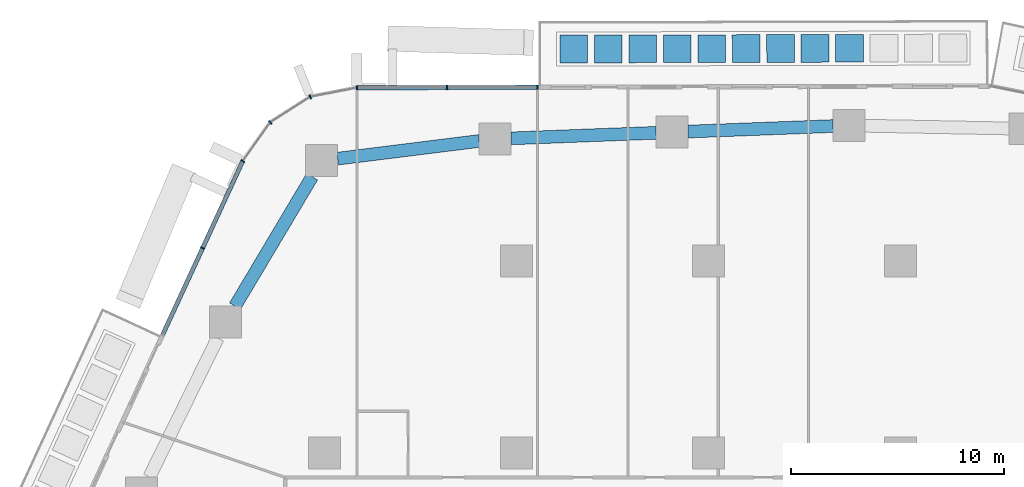
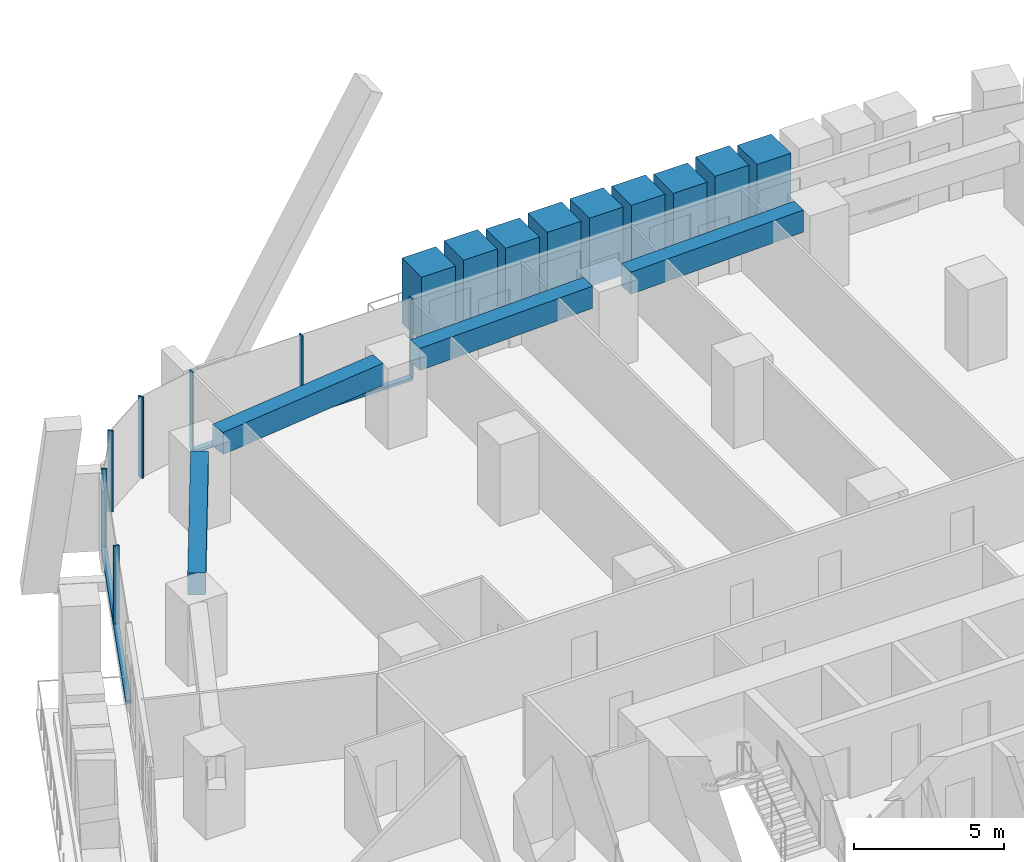
# One storey, part 9 of 27: 18 members, 4 beams, 3 elements without a shape of their own.
"""IFC4 building model written with IfcOpenShell, lengths in metres."""

from ifc_helpers import new_model, si_unit, direction, frame, origin, origin_2d, place, context, subcontext, project, spatial, rectangle, extrude, material, layer, layer_set, material_profile, profile_set, type_object, element, aggregate, save


model = new_model("IFC4")

# Units and contexts
model_context = context("Model", 3, precision=1e-05, world=origin(), true_north=direction((0.0, 1.0)))
body_context = subcontext(model_context, "Body", "Model", "MODEL_VIEW")
ifc_project = project(units=[si_unit("LENGTHUNIT", "METRE"), si_unit("AREAUNIT", "SQUARE_METRE"), si_unit("VOLUMEUNIT", "CUBIC_METRE"), si_unit("PLANEANGLEUNIT", "RADIAN"), si_unit("MASSUNIT", "GRAM", prefix="KILO")], contexts=[model_context])

# Site, building, storey
site_placement = place(None, origin())
site = spatial("IfcSite", under=ifc_project, at=site_placement, CompositionType="ELEMENT")
building_placement = place(site_placement, origin())
building = spatial("IfcBuilding", under=site, at=building_placement, Name="Dongbaek Canopy Tower", CompositionType="ELEMENT")
storey_placement = place(building_placement, frame((0.0, 0.0, 62.5)))
storey = spatial("IfcBuildingStorey", under=building, at=storey_placement, Name="L11", CompositionType="ELEMENT", Elevation=62.5)

# Curtain wall, members
ifc_material_1 = material(Name="Aluminium 6063-T6 pale anodised", Category="aluminium")
ifc_layer = layer(ifc_material_1, 0.199951171875)
ifc_layer_set = layer_set([ifc_layer], Name="CW-1 unitised tower curtain wall")
curtain_wall_type = type_object("IfcCurtainWallType", Name="CW-1 unitised tower curtain wall", PredefinedType="NOTDEFINED", material=ifc_layer_set)
curtain_wall_1_placement = place(storey_placement, origin())
curtain_wall_1 = element("IfcCurtainWall", 1, at=curtain_wall_1_placement, inside=storey, type_object=curtain_wall_type, Name="CW-1 curtain wall F1.1", PredefinedType="NOTDEFINED")
ifc_material_2 = material(Name="Aluminium 6063-T6 pale anodised", Category="aluminium")
ifc_material_profile_1 = material_profile(ifc_material_2, rectangle(XDim=0.199951171875, YDim=0.06005859375, at=origin_2d()), Name="CW-1 mullion 60 x 200")
ifc_profile_set_1 = profile_set([ifc_material_profile_1], Name="Aluminium 6063-T6 pale anodised")
member_type_1 = type_object("IfcMemberType", Name="CW-1 mullion 60 x 200", PredefinedType="MULLION", material=ifc_profile_set_1)
member_1_placement = place(storey_placement, frame((-8.0205078125, 35.13623046875, 0.1201171875), z_axis=(0.0, 0.0, 1.0), x_axis=(-0.002665570299, 0.999996447361, 0.0)))
member_1 = element("IfcMember", 2, at=member_1_placement, type_object=member_type_1, Name="CW-1 mullion F1.1.1", PredefinedType="MULLION", context=body_context, shape_type="SweptSolid", body=[
    extrude(rectangle(XDim=0.199951171875, YDim=0.06005859375, at=origin_2d()), origin(), (0.0, 0.0, 1.0), 3.179931640625),
])
member_2_placement = place(storey_placement, frame((-12.258056640625, 35.124755859375, 0.1201171875), z_axis=(0.0, 0.0, 1.0), x_axis=(-0.002665570299, 0.999996447361, 0.0)))
member_2 = element("IfcMember", 3, at=member_2_placement, type_object=member_type_1, Name="CW-1 mullion F1.1.2", PredefinedType="MULLION", context=body_context, shape_type="SweptSolid", body=[
    extrude(rectangle(XDim=0.199951171875, YDim=0.06005859375, at=origin_2d()), origin(), (0.0, 0.0, 1.0), 3.179931640625),
])
member_3_placement = place(storey_placement, frame((-16.486083984375, 35.113525390625, 0.1201171875), z_axis=(0.0, 0.0, 1.0), x_axis=(-0.002665570299, 0.999996447361, 0.0)))
member_3 = element("IfcMember", 4, at=member_3_placement, type_object=member_type_1, Name="CW-1 mullion F1.1.3", PredefinedType="MULLION", context=body_context, shape_type="SweptSolid", body=[
    extrude(rectangle(XDim=0.199951171875, YDim=0.06005859375, at=origin_2d()), origin(), (0.0, 0.0, 1.0), 3.179931640625),
])

curtain_wall_2_placement = place(storey_placement, origin())
curtain_wall_2 = element("IfcCurtainWall", 5, at=curtain_wall_2_placement, inside=storey, type_object=curtain_wall_type, Name="CW-1 curtain wall K2.1", PredefinedType="NOTDEFINED")
member_4_placement = place(storey_placement, frame((-18.6748046875, 34.68798828125, 0.0), z_axis=(0.0, 0.0, 1.0), x_axis=(-0.372155776445, 0.928170285055, 0.0)))
member_4 = element("IfcMember", 6, at=member_4_placement, type_object=member_type_1, Name="CW-1 mullion K2.1.2", PredefinedType="MULLION", context=body_context, shape_type="SweptSolid", body=[
    extrude(rectangle(XDim=0.199951171875, YDim=0.06005859375, at=origin_2d()), origin(), (0.0, 0.0, 1.0), 3.300048828125),
])
member_5_placement = place(storey_placement, frame((-20.543212890625, 33.48876953125, 0.0), z_axis=(0.0, 0.0, 1.0), x_axis=(-0.688918204153, 0.7248390911, 0.0)))
member_5 = element("IfcMember", 7, at=member_5_placement, type_object=member_type_1, Name="CW-1 mullion K2.1.3", PredefinedType="MULLION", context=body_context, shape_type="SweptSolid", body=[
    extrude(rectangle(XDim=0.199951171875, YDim=0.06005859375, at=origin_2d()), origin(), (0.0, 0.0, 1.0), 3.300048828125),
])
member_6_placement = place(storey_placement, frame((-21.84130859375, 31.676025390625, 0.0), z_axis=(0.0, 0.0, 1.0), x_axis=(-0.813024440327, 0.58222955905, 0.0)))
member_6 = element("IfcMember", 8, at=member_6_placement, type_object=member_type_1, Name="CW-1 mullion K2.1.4", PredefinedType="MULLION", context=body_context, shape_type="SweptSolid", body=[
    extrude(rectangle(XDim=0.199951171875, YDim=0.06005859375, at=origin_2d()), origin(), (0.0, 0.0, 1.0), 3.300048828125),
])
aggregate(curtain_wall_2, [member_4, member_5, member_6])

# Curtain wall, member
curtain_wall_3_placement = place(storey_placement, origin())
curtain_wall_3 = element("IfcCurtainWall", 9, at=curtain_wall_3_placement, inside=storey, type_object=curtain_wall_type, Name="CW-1 curtain wall F2.1", PredefinedType="NOTDEFINED")
member_7_placement = place(storey_placement, frame((-23.71923828125, 27.604248046875, 0.1201171875), z_axis=(0.0, 0.0, 1.0), x_axis=(-0.908073315942, 0.418811237761, 0.0)))
member_7 = element("IfcMember", 10, at=member_7_placement, type_object=member_type_1, Name="CW-1 mullion F2.1.2", PredefinedType="MULLION", context=body_context, shape_type="SweptSolid", body=[
    extrude(rectangle(XDim=0.199951171875, YDim=0.06005859375, at=origin_2d()), origin(), (0.0, 0.0, 1.0), 3.179931640625),
])

# Member
ifc_material_3 = material(Name="Aluminium 6063-T6 pale anodised", Category="aluminium")
ifc_material_profile_2 = material_profile(ifc_material_3, rectangle(XDim=0.199951171875, YDim=0.1201171875, at=origin_2d()), Name="CW-1 transom 120 x 200")
ifc_profile_set_2 = profile_set([ifc_material_profile_2], Name="Aluminium 6063-T6 pale anodised")
member_type_2 = type_object("IfcMemberType", Name="CW-1 transom 120 x 200", PredefinedType="USERDEFINED", material=ifc_profile_set_2)
member_8_placement = place(storey_placement, frame((-8.0205078125, 35.13623046875, 0.06005859375), z_axis=(-0.99999640333, -0.002682037938, 0.0), x_axis=(0.002682037938, -0.99999640333, 0.0)))
member_8 = element("IfcMember", 11, at=member_8_placement, type_object=member_type_2, Name="CW-1 transom F1.1.1", ObjectType="TRANSOM", PredefinedType="USERDEFINED", context=body_context, shape_type="SweptSolid", body=[
    extrude(rectangle(XDim=0.199951171875, YDim=0.1201171875, at=origin_2d()), origin(), (0.0, 0.0, 1.0), 8.465576171875),
])

aggregate(curtain_wall_1, [member_1, member_2, member_3, member_8])

member_9_placement = place(storey_placement, frame((-21.84130859375, 31.676025390625, 0.06005859375), z_axis=(-0.418816716201, -0.908070789218, 0.0), x_axis=(0.908070789218, -0.418816716201, 0.0)))
member_9 = element("IfcMember", 12, at=member_9_placement, type_object=member_type_2, Name="CW-1 transom F2.1.1", ObjectType="TRANSOM", PredefinedType="USERDEFINED", context=body_context, shape_type="SweptSolid", body=[
    extrude(rectangle(XDim=0.199951171875, YDim=0.1201171875, at=origin_2d()), origin(), (0.0, 0.0, 1.0), 8.97705078125),
])

aggregate(curtain_wall_3, [member_7, member_9])

# Beams
ifc_material_4 = material(Name="Concrete C80", Category="concrete")
ifc_material_profile_3 = material_profile(ifc_material_4, rectangle(XDim=0.60009765625, YDim=0.89990234375, at=origin_2d()), Name="RC EDGE BEAM 600x900 C80")
ifc_profile_set_3 = profile_set([ifc_material_profile_3], Name="Concrete C80")
beam_type = type_object("IfcBeamType", Name="RC EDGE BEAM 600x900 C80", PredefinedType="BEAM", material=ifc_profile_set_3)
beam_1_placement = place(storey_placement, frame((-22.201416015625, 24.875, 2.85009765625), z_axis=(0.511536684445, 0.859261438951, 0.0), x_axis=(-0.859261438951, 0.511536684445, 0.0)))
element("IfcBeam", 13, at=beam_1_placement, inside=storey, type_object=beam_type, Name="EDGEBEAM:L11:12", PredefinedType="BEAM", context=body_context, shape_type="SweptSolid", body=[
    extrude(rectangle(XDim=0.60009765625, YDim=0.89990234375, at=origin_2d()), origin(), (0.0, 0.0, 1.0), 7.06884765625),
])
beam_2_placement = place(storey_placement, frame((-17.388916015625, 31.79248046875, 2.85009765625), z_axis=(0.992300337098, 0.123854919137, 0.0), x_axis=(-0.123854919137, 0.992300337098, 0.0)))
element("IfcBeam", 14, at=beam_2_placement, inside=storey, type_object=beam_type, Name="EDGEBEAM:L11:13", PredefinedType="BEAM", context=body_context, shape_type="SweptSolid", body=[
    extrude(rectangle(XDim=0.60009765625, YDim=0.89990234375, at=origin_2d()), origin(), (0.0, 0.0, 1.0), 6.684326171875),
])
beam_3_placement = place(storey_placement, frame((-9.256103515625, 32.74267578125, 2.85009765625), z_axis=(0.999265250645, 0.038326999019, 0.0), x_axis=(-0.038326999019, 0.999265250645, 0.0)))
element("IfcBeam", 15, at=beam_3_placement, inside=storey, type_object=beam_type, Name="EDGEBEAM:L11:14", PredefinedType="BEAM", context=body_context, shape_type="SweptSolid", body=[
    extrude(rectangle(XDim=0.60009765625, YDim=0.89990234375, at=origin_2d()), origin(), (0.0, 0.0, 1.0), 6.802978515625),
])
beam_4_placement = place(storey_placement, frame((-0.9580078125, 33.060791015625, 2.85009765625), z_axis=(0.99927189778, 0.038153300073, 0.0), x_axis=(-0.038153300073, 0.99927189778, 0.0)))
element("IfcBeam", 16, at=beam_4_placement, inside=storey, type_object=beam_type, Name="EDGEBEAM:L11:15", PredefinedType="BEAM", context=body_context, shape_type="SweptSolid", body=[
    extrude(rectangle(XDim=0.60009765625, YDim=0.89990234375, at=origin_2d()), origin(), (0.0, 0.0, 1.0), 6.802001953125),
])

# Members
ifc_material_5 = material(Name="Concrete C40/50 planter mass with planting", Category="concrete")
ifc_material_profile_4 = material_profile(ifc_material_5, rectangle(XDim=1.300048828125, YDim=1.300048828125, at=origin_2d()), Name="Terrace PLANTER shrub mass 1300 x 1300")
ifc_profile_set_4 = profile_set([ifc_material_profile_4], Name="Concrete C40/50 planter mass with planting")
member_type_3 = type_object("IfcMemberType", Name="Terrace PLANTER shrub mass 1300 x 1300", PredefinedType="USERDEFINED", material=ifc_profile_set_4)
member_10_placement = place(storey_placement, frame((6.607666015625, 36.965087890625, 0.419921875), z_axis=(0.0, 0.0, 1.0), x_axis=(-0.002665570299, 0.999996447361, 0.0)))
element("IfcMember", 17, at=member_10_placement, inside=storey, type_object=member_type_3, Name="Planter shrubs L11 2.4", ObjectType="PLANTER", PredefinedType="USERDEFINED", context=body_context, shape_type="SweptSolid", body=[
    extrude(rectangle(XDim=1.300048828125, YDim=1.300048828125, at=origin_2d()), origin(), (0.0, 0.0, 1.0), 2.690185546875),
])
member_11_placement = place(storey_placement, frame((4.991943359375, 36.9609375, 0.419921875), z_axis=(0.0, 0.0, 1.0), x_axis=(-0.002665570299, 0.999996447361, 0.0)))
element("IfcMember", 18, at=member_11_placement, inside=storey, type_object=member_type_3, Name="Planter shrubs L11 2.5", ObjectType="PLANTER", PredefinedType="USERDEFINED", context=body_context, shape_type="SweptSolid", body=[
    extrude(rectangle(XDim=1.300048828125, YDim=1.300048828125, at=origin_2d()), origin(), (0.0, 0.0, 1.0), 2.780029296875),
])
member_12_placement = place(storey_placement, frame((3.37646484375, 36.95654296875, 0.419921875), z_axis=(0.0, 0.0, 1.0), x_axis=(-0.002665570299, 0.999996447361, 0.0)))
element("IfcMember", 19, at=member_12_placement, inside=storey, type_object=member_type_3, Name="Planter shrubs L11 2.6", ObjectType="PLANTER", PredefinedType="USERDEFINED", context=body_context, shape_type="SweptSolid", body=[
    extrude(rectangle(XDim=1.300048828125, YDim=1.300048828125, at=origin_2d()), origin(), (0.0, 0.0, 1.0), 2.650146484375),
])
member_13_placement = place(storey_placement, frame((1.7607421875, 36.9521484375, 0.419921875), z_axis=(0.0, 0.0, 1.0), x_axis=(-0.002665570299, 0.999996447361, 0.0)))
element("IfcMember", 20, at=member_13_placement, inside=storey, type_object=member_type_3, Name="Planter shrubs L11 2.7", ObjectType="PLANTER", PredefinedType="USERDEFINED", context=body_context, shape_type="SweptSolid", body=[
    extrude(rectangle(XDim=1.300048828125, YDim=1.300048828125, at=origin_2d()), origin(), (0.0, 0.0, 1.0), 2.72998046875),
])
member_14_placement = place(storey_placement, frame((0.14501953125, 36.947998046875, 0.419921875), z_axis=(0.0, 0.0, 1.0), x_axis=(-0.002665570299, 0.999996447361, 0.0)))
element("IfcMember", 21, at=member_14_placement, inside=storey, type_object=member_type_3, Name="Planter shrubs L11 2.8", ObjectType="PLANTER", PredefinedType="USERDEFINED", context=body_context, shape_type="SweptSolid", body=[
    extrude(rectangle(XDim=1.300048828125, YDim=1.300048828125, at=origin_2d()), origin(), (0.0, 0.0, 1.0), 2.780029296875),
])
member_15_placement = place(storey_placement, frame((-1.470458984375, 36.943603515625, 0.419921875), z_axis=(0.0, 0.0, 1.0), x_axis=(-0.002665570299, 0.999996447361, 0.0)))
element("IfcMember", 22, at=member_15_placement, inside=storey, type_object=member_type_3, Name="Planter shrubs L11 2.9", ObjectType="PLANTER", PredefinedType="USERDEFINED", context=body_context, shape_type="SweptSolid", body=[
    extrude(rectangle(XDim=1.300048828125, YDim=1.300048828125, at=origin_2d()), origin(), (0.0, 0.0, 1.0), 2.77001953125),
])
member_16_placement = place(storey_placement, frame((-3.086181640625, 36.939208984375, 0.419921875), z_axis=(0.0, 0.0, 1.0), x_axis=(-0.002665570299, 0.999996447361, 0.0)))
element("IfcMember", 23, at=member_16_placement, inside=storey, type_object=member_type_3, Name="Planter shrubs L11 2.10", ObjectType="PLANTER", PredefinedType="USERDEFINED", context=body_context, shape_type="SweptSolid", body=[
    extrude(rectangle(XDim=1.300048828125, YDim=1.300048828125, at=origin_2d()), origin(), (0.0, 0.0, 1.0), 2.690185546875),
])
member_17_placement = place(storey_placement, frame((-4.701904296875, 36.93505859375, 0.419921875), z_axis=(0.0, 0.0, 1.0), x_axis=(-0.002665570299, 0.999996447361, 0.0)))
element("IfcMember", 24, at=member_17_placement, inside=storey, type_object=member_type_3, Name="Planter shrubs L11 2.11", ObjectType="PLANTER", PredefinedType="USERDEFINED", context=body_context, shape_type="SweptSolid", body=[
    extrude(rectangle(XDim=1.300048828125, YDim=1.300048828125, at=origin_2d()), origin(), (0.0, 0.0, 1.0), 2.780029296875),
])
member_18_placement = place(storey_placement, frame((-6.3173828125, 36.9306640625, 0.419921875), z_axis=(0.0, 0.0, 1.0), x_axis=(-0.002665570299, 0.999996447361, 0.0)))
element("IfcMember", 25, at=member_18_placement, inside=storey, type_object=member_type_3, Name="Planter shrubs L11 2.12", ObjectType="PLANTER", PredefinedType="USERDEFINED", context=body_context, shape_type="SweptSolid", body=[
    extrude(rectangle(XDim=1.300048828125, YDim=1.300048828125, at=origin_2d()), origin(), (0.0, 0.0, 1.0), 2.650146484375),
])

save(model, "model.ifc")
